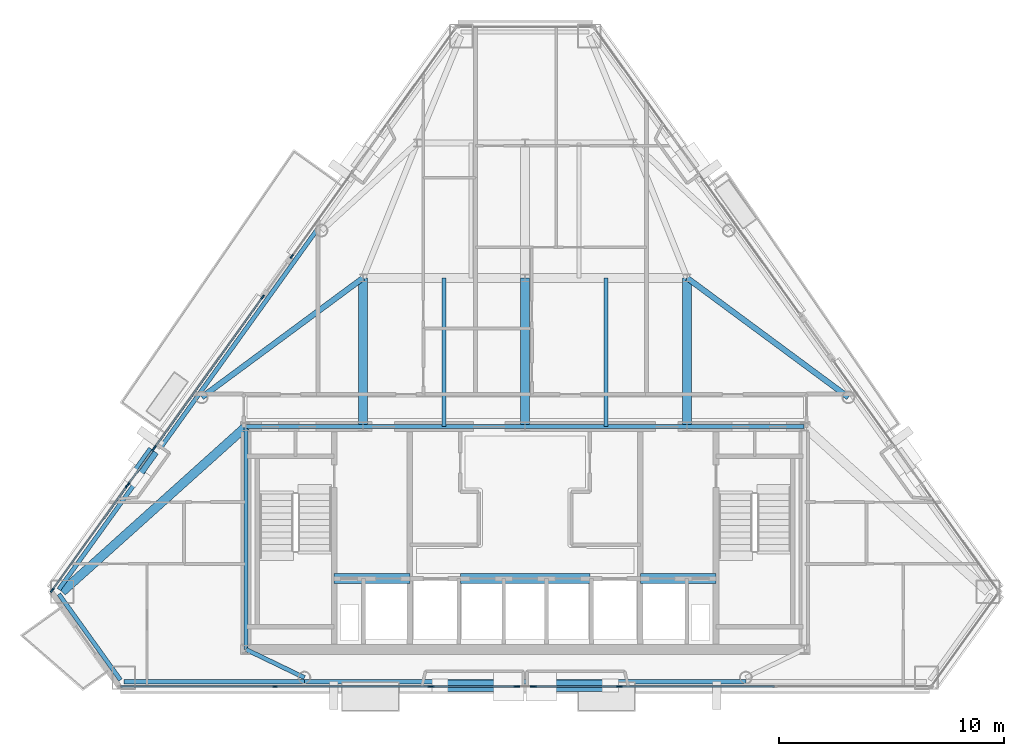
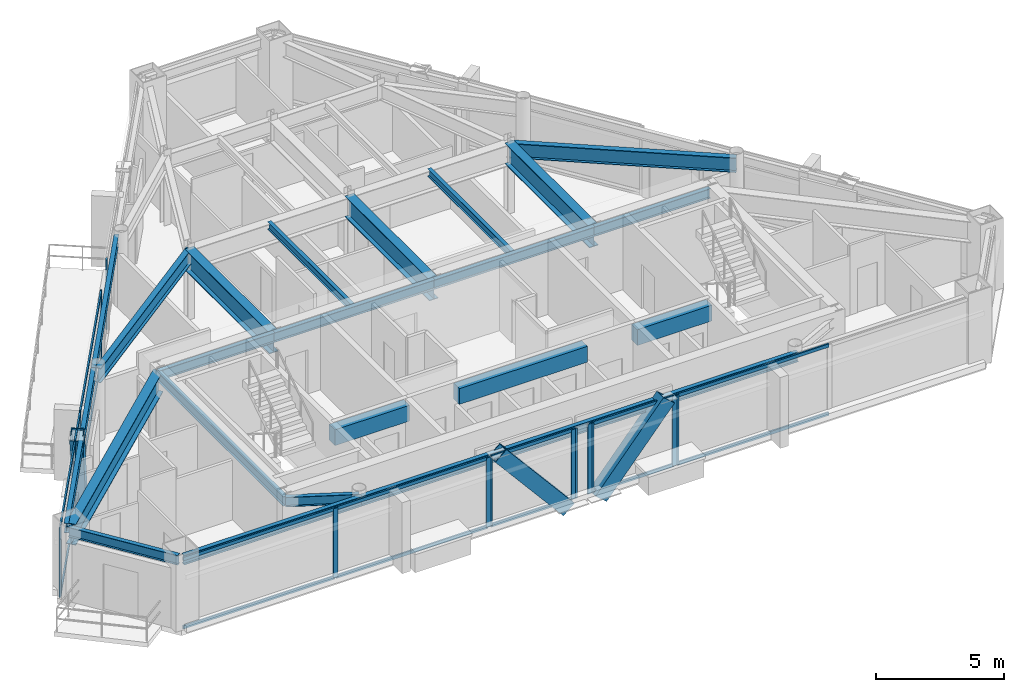
# One storey, part 3 of 12: 35 members, 22 beams, 9 elements without a shape of their own.
"""IFC4 building model written with IfcOpenShell, lengths in metres."""

from ifc_helpers import new_model, si_unit, direction, frame, origin, origin_2d, place, context, subcontext, project, spatial, rectangle, hollow_rectangle, i_section, extrude, material, layer, layer_set, material_profile, profile_set, type_object, element, aggregate, save


model = new_model("IFC4")

# Units and contexts
model_context = context("Model", 3, precision=1e-05, world=origin(), true_north=direction((0.0, 1.0)))
body_context = subcontext(model_context, "Body", "Model", "MODEL_VIEW")
ifc_project = project(units=[si_unit("LENGTHUNIT", "METRE"), si_unit("AREAUNIT", "SQUARE_METRE"), si_unit("VOLUMEUNIT", "CUBIC_METRE"), si_unit("PLANEANGLEUNIT", "RADIAN"), si_unit("MASSUNIT", "GRAM", prefix="KILO")], contexts=[model_context])

# Site, building, storey
site_placement = place(None, origin())
site = spatial("IfcSite", under=ifc_project, at=site_placement, CompositionType="ELEMENT")
building_placement = place(site_placement, origin())
building = spatial("IfcBuilding", under=site, at=building_placement, Name="Talgorran Terracotta Tower", CompositionType="ELEMENT")
storey_placement = place(building_placement, frame((0.0, 0.0, 225.300048828125)))
storey = spatial("IfcBuildingStorey", under=building, at=storey_placement, Name="L59", CompositionType="ELEMENT", Elevation=225.300048828125)

# Beams
ifc_material_1 = material(Name="Steel Grade 350 (350L0)", Category="steel")
ifc_material_profile_1 = material_profile(ifc_material_1, i_section(OverallWidth=0.39990234375, OverallDepth=1.0, WebThickness=0.01611328125, FlangeThickness=0.031005859375, at=origin_2d()), Name="1000WB296")
ifc_profile_set_1 = profile_set([ifc_material_profile_1], Name="Steel Grade 350 (350L0)")
beam_type_1 = type_object("IfcBeamType", Name="BM_1000WB296", PredefinedType="BEAM", material=ifc_profile_set_1)
for number, where, z_axis, x_axis, name in (
    (1, (-7.199951171875, -4.199951171875, 2.820068359375), (0.0, 1.0, 0.0), (-1.0, 0.0, 0.0), "L59 Floor Girder G01"),
    (2, (0.0, -4.199951171875, 2.820068359375), (0.0, 1.0, 0.0), (-1.0, 0.0, 0.0), "L59 Floor Girder G02"),
    (3, (7.199951171875, -4.199951171875, 2.820068359375), (0.0, 1.0, 0.0), (-1.0, 0.0, 0.0), "L59 Floor Girder G03"),
):
    element("IfcBeam", number, at=place(storey_placement, frame(where, z_axis=z_axis, x_axis=x_axis)), inside=storey, type_object=beam_type_1, Name=name, PredefinedType="BEAM", context=body_context, shape_type="SweptSolid", body=[
        extrude(i_section(OverallWidth=0.39990234375, OverallDepth=1.0, WebThickness=0.01611328125, FlangeThickness=0.031005859375, at=origin_2d()), origin(), (0.0, 0.0, 1.0), 6.599853515625),
    ])
beam_1_placement = place(storey_placement, frame((-12.39990234375, -4.199951171875, 2.820068359375), z_axis=(-0.743768255752, -0.668437567567, 0.0), x_axis=(0.668437567567, -0.743768255752, 0.0)))
element("IfcBeam", 4, at=beam_1_placement, inside=storey, type_object=beam_type_1, Name="L59 Floor Girder G17", PredefinedType="BEAM", context=body_context, shape_type="SweptSolid", body=[
    extrude(i_section(OverallWidth=0.39990234375, OverallDepth=1.0, WebThickness=0.01611328125, FlangeThickness=0.031005859375, at=origin_2d()), origin(), (0.0, 0.0, 1.0), 10.980224609375),
])
ifc_material_2 = material(Name="Steel S355 (300PLUS)", Category="steel")
ifc_material_profile_2 = material_profile(ifc_material_2, i_section(OverallWidth=0.25, OverallDepth=0.699951171875, WebThickness=0.011962890625, FlangeThickness=0.02392578125, at=origin_2d()), Name="700WB150")
ifc_profile_set_2 = profile_set([ifc_material_profile_2], Name="Steel S355 (300PLUS)")
beam_type_2 = type_object("IfcBeamType", Name="BM_700WB150", PredefinedType="BEAM", material=ifc_profile_set_2)
for number, where, z_axis, x_axis, name in (
    (5, (-7.199951171875, 2.39990234375, 2.969970703125), (-0.804042856359, -0.594571345708, 0.0), (0.594571345708, -0.804042856359, 0.0), "L59 Floor Girder G06"),
    (6, (7.199951171875, 2.39990234375, 2.969970703125), (0.804042856359, -0.594571345708, 0.0), (0.594571345708, 0.804042856359, 0.0), "L59 Floor Girder G07"),
):
    element("IfcBeam", number, at=place(storey_placement, frame(where, z_axis=z_axis, x_axis=x_axis)), inside=storey, type_object=beam_type_2, Name=name, PredefinedType="BEAM", context=body_context, shape_type="SweptSolid", body=[
        extrude(i_section(OverallWidth=0.25, OverallDepth=0.699951171875, WebThickness=0.011962890625, FlangeThickness=0.02392578125, at=origin_2d()), origin(), (0.0, 0.0, 1.0), 8.9091796875),
    ])
ifc_material_3 = material(Name="Concrete C50/60", Category="concrete")
ifc_material_profile_3 = material_profile(ifc_material_3, rectangle(XDim=0.449951171875, YDim=0.75, at=origin_2d()), Name="RCCB450X750")
ifc_profile_set_3 = profile_set([ifc_material_profile_3], Name="Concrete C50/60")
beam_type_3 = type_object("IfcBeamType", Name="BM_CB_450X750", PredefinedType="LINTEL", material=ifc_profile_set_3)
beam_2_placement = place(storey_placement, frame((-8.47998046875, -10.949951171875, 2.945068359375), z_axis=(1.0, 0.0, 0.0), x_axis=(0.0, 1.0, 0.0)))
element("IfcBeam", 7, at=beam_2_placement, inside=storey, type_object=beam_type_3, Name="L59 Core Shear-Wall Coupling Beam CB1", PredefinedType="LINTEL", context=body_context, shape_type="SweptSolid", body=[
    extrude(rectangle(XDim=0.449951171875, YDim=0.75, at=origin_2d()), origin(), (0.0, 0.0, 1.0), 3.35986328125),
])
beam_3_placement = place(storey_placement, frame((-2.8798828125, -10.949951171875, 2.945068359375), z_axis=(1.0, 0.0, 0.0), x_axis=(0.0, 1.0, 0.0)))
element("IfcBeam", 8, at=beam_3_placement, inside=storey, type_object=beam_type_3, Name="L59 Core Shear-Wall Coupling Beam CB2", PredefinedType="LINTEL", context=body_context, shape_type="SweptSolid", body=[
    extrude(rectangle(XDim=0.449951171875, YDim=0.75, at=origin_2d()), origin(), (0.0, 0.0, 1.0), 5.759765625),
])
beam_4_placement = place(storey_placement, frame((5.1201171875, -10.949951171875, 2.945068359375), z_axis=(1.0, 0.0, 0.0), x_axis=(0.0, 1.0, 0.0)))
element("IfcBeam", 9, at=beam_4_placement, inside=storey, type_object=beam_type_3, Name="L59 Core Shear-Wall Coupling Beam CB3", PredefinedType="LINTEL", context=body_context, shape_type="SweptSolid", body=[
    extrude(rectangle(XDim=0.449951171875, YDim=0.75, at=origin_2d()), origin(), (0.0, 0.0, 1.0), 3.35986328125),
])
ifc_material_profile_4 = material_profile(ifc_material_2, i_section(OverallWidth=0.17138671875, OverallDepth=0.355712890625, WebThickness=0.00732421875, FlangeThickness=0.011474609375, at=origin_2d()), Name="360UB50.7")
ifc_profile_set_4 = profile_set([ifc_material_profile_4], Name="Steel S355 (300PLUS)")
beam_type_4 = type_object("IfcBeamType", Name="BM_JS_360UB51", PredefinedType="JOIST", material=ifc_profile_set_4)
for number, where, z_axis, x_axis, name in (
    (10, (-3.60009765625, -4.199951171875, 3.14208984375), (0.0, 1.0, 0.0), (-1.0, 0.0, 0.0), "L59 Secondary Joist J01"),
    (11, (3.60009765625, -4.199951171875, 3.14208984375), (0.0, 1.0, 0.0), (-1.0, 0.0, 0.0), "L59 Secondary Joist J02"),
):
    element("IfcBeam", number, at=place(storey_placement, frame(where, z_axis=z_axis, x_axis=x_axis)), inside=storey, type_object=beam_type_4, Name=name, PredefinedType="JOIST", context=body_context, shape_type="SweptSolid", body=[
        extrude(i_section(OverallWidth=0.17138671875, OverallDepth=0.355712890625, WebThickness=0.00732421875, FlangeThickness=0.011474609375, at=origin_2d()), origin(), (0.0, 0.0, 1.0), 6.599853515625),
    ])
ifc_material_profile_5 = material_profile(ifc_material_2, i_section(OverallWidth=0.18994140625, OverallDepth=0.45703125, WebThickness=0.009033203125, FlangeThickness=0.014404296875, at=origin_2d()), Name="460UB74.6")
ifc_profile_set_5 = profile_set([ifc_material_profile_5], Name="Steel S355 (300PLUS)")
beam_type_5 = type_object("IfcBeamType", Name="BM_SP_460UB74", PredefinedType="SPANDREL", material=ifc_profile_set_5)
beam_5_placement = place(storey_placement, frame((-20.712890625, -11.64453125, 3.091552734375), z_axis=(0.583096756271, -0.812402715915, 0.0), x_axis=(0.812402715915, 0.583096756271, 0.0)))
element("IfcBeam", 12, at=beam_5_placement, inside=storey, type_object=beam_type_5, Name="L59 Perimeter Spandrel Beam MC1-MC2", PredefinedType="SPANDREL", context=body_context, shape_type="SweptSolid", body=[
    extrude(i_section(OverallWidth=0.18994140625, OverallDepth=0.45703125, WebThickness=0.009033203125, FlangeThickness=0.014404296875, at=origin_2d()), origin(), (0.0, 0.0, 1.0), 4.693115234375),
])
beam_6_placement = place(storey_placement, frame((-17.830078125, -15.5322265625, 3.091552734375), z_axis=(1.0, 0.0, 0.0), x_axis=(0.0, 1.0, 0.0)))
element("IfcBeam", 13, at=beam_6_placement, inside=storey, type_object=beam_type_5, Name="L59 Perimeter Spandrel Beam MC2-FC1", PredefinedType="SPANDREL", context=body_context, shape_type="SweptSolid", body=[
    extrude(i_section(OverallWidth=0.18994140625, OverallDepth=0.45703125, WebThickness=0.009033203125, FlangeThickness=0.014404296875, at=origin_2d()), origin(), (0.0, 0.0, 1.0), 8.0234375),
])
beam_7_placement = place(storey_placement, frame((-9.806640625, -15.5322265625, 3.091552734375), z_axis=(1.0, 0.0, 0.0), x_axis=(0.0, 1.0, 0.0)))
element("IfcBeam", 14, at=beam_7_placement, inside=storey, type_object=beam_type_5, Name="L59 Perimeter Spandrel Beam FC1-FC2", PredefinedType="SPANDREL", context=body_context, shape_type="SweptSolid", body=[
    extrude(i_section(OverallWidth=0.18994140625, OverallDepth=0.45703125, WebThickness=0.009033203125, FlangeThickness=0.014404296875, at=origin_2d()), origin(), (0.0, 0.0, 1.0), 19.61328125),
])
beam_8_placement = place(storey_placement, frame((-9.192626953125, 4.615478515625, 3.091552734375), z_axis=(-0.583100770976, -0.812399834372, 0.0), x_axis=(0.812399834372, -0.583100770976, 0.0)))
element("IfcBeam", 15, at=beam_8_placement, inside=storey, type_object=beam_type_5, Name="L59 Perimeter Spandrel Beam FC5-FC6", PredefinedType="SPANDREL", context=body_context, shape_type="SweptSolid", body=[
    extrude(i_section(OverallWidth=0.18994140625, OverallDepth=0.45703125, WebThickness=0.009033203125, FlangeThickness=0.014404296875, at=origin_2d()), origin(), (0.0, 0.0, 1.0), 9.118408203125),
])
beam_9_placement = place(storey_placement, frame((-14.509521484375, -2.792236328125, 3.091552734375), z_axis=(-0.583120966057, -0.812385338953, 0.0), x_axis=(0.812385338953, -0.583120966057, 0.0)))
element("IfcBeam", 16, at=beam_9_placement, inside=storey, type_object=beam_type_5, Name="L59 Perimeter Spandrel Beam FC6-MC1", PredefinedType="SPANDREL", context=body_context, shape_type="SweptSolid", body=[
    extrude(i_section(OverallWidth=0.18994140625, OverallDepth=0.45703125, WebThickness=0.009033203125, FlangeThickness=0.014404296875, at=origin_2d()), origin(), (0.0, 0.0, 1.0), 10.63818359375),
])
beam_10_placement = place(storey_placement, frame((-9.806640625, -15.352294921875, 3.091552734375), z_axis=(-0.900513862936, 0.434827302109, 0.0), x_axis=(-0.434827302109, -0.900513862936, 0.0)))
element("IfcBeam", 17, at=beam_10_placement, inside=storey, type_object=beam_type_5, Name="L59 South-West Core Tie Beam", PredefinedType="SPANDREL", context=body_context, shape_type="SweptSolid", body=[
    extrude(i_section(OverallWidth=0.18994140625, OverallDepth=0.45703125, WebThickness=0.009033203125, FlangeThickness=0.014404296875, at=origin_2d()), origin(), (0.0, 0.0, 1.0), 2.879638671875),
])
beam_11_placement = place(storey_placement, frame((-12.39990234375, -14.10009765625, 3.091552734375), z_axis=(0.0, 1.0, 0.0), x_axis=(-1.0, 0.0, 0.0)))
element("IfcBeam", 18, at=beam_11_placement, inside=storey, type_object=beam_type_5, Name="L59 Core Frame Beam CFW", PredefinedType="SPANDREL", context=body_context, shape_type="SweptSolid", body=[
    extrude(i_section(OverallWidth=0.18994140625, OverallDepth=0.45703125, WebThickness=0.009033203125, FlangeThickness=0.014404296875, at=origin_2d()), origin(), (0.0, 0.0, 1.0), 9.900146484375),
])
beam_12_placement = place(storey_placement, frame((-12.39990234375, -4.199951171875, 3.091552734375), z_axis=(1.0, 0.0, 0.0), x_axis=(0.0, 1.0, 0.0)))
element("IfcBeam", 19, at=beam_12_placement, inside=storey, type_object=beam_type_5, Name="L59 Core Frame Beam CFN1", PredefinedType="SPANDREL", context=body_context, shape_type="SweptSolid", body=[
    extrude(i_section(OverallWidth=0.18994140625, OverallDepth=0.45703125, WebThickness=0.009033203125, FlangeThickness=0.014404296875, at=origin_2d()), origin(), (0.0, 0.0, 1.0), 5.199951171875),
])
for number, where, z_axis, x_axis, name in (
    (20, (-7.199951171875, -4.199951171875, 3.091552734375), (1.0, 0.0, 0.0), (0.0, 1.0, 0.0), "L59 Core Frame Beam CFN2"),
    (21, (0.0, -4.199951171875, 3.091552734375), (1.0, 0.0, 0.0), (0.0, 1.0, 0.0), "L59 Core Frame Beam CFN3"),
):
    element("IfcBeam", number, at=place(storey_placement, frame(where, z_axis=z_axis, x_axis=x_axis)), inside=storey, type_object=beam_type_5, Name=name, PredefinedType="SPANDREL", context=body_context, shape_type="SweptSolid", body=[
        extrude(i_section(OverallWidth=0.18994140625, OverallDepth=0.45703125, WebThickness=0.009033203125, FlangeThickness=0.014404296875, at=origin_2d()), origin(), (0.0, 0.0, 1.0), 7.199951171875),
    ])
beam_13_placement = place(storey_placement, frame((7.199951171875, -4.199951171875, 3.091552734375), z_axis=(1.0, 0.0, 0.0), x_axis=(0.0, 1.0, 0.0)))
element("IfcBeam", 22, at=beam_13_placement, inside=storey, type_object=beam_type_5, Name="L59 Core Frame Beam CFN4", PredefinedType="SPANDREL", context=body_context, shape_type="SweptSolid", body=[
    extrude(i_section(OverallWidth=0.18994140625, OverallDepth=0.45703125, WebThickness=0.009033203125, FlangeThickness=0.014404296875, at=origin_2d()), origin(), (0.0, 0.0, 1.0), 5.199951171875),
])

# Members
ifc_material_profile_6 = material_profile(ifc_material_1, hollow_rectangle(XDim=0.52001953125, YDim=0.659912109375, WallThickness=0.034912109375, at=origin_2d()), Name="WBOX660X520X35")
ifc_profile_set_6 = profile_set([ifc_material_profile_6], Name="Steel Grade 350 (350L0)")
member_type_1 = type_object("IfcMemberType", Name="MB_MEGA_660", PredefinedType="BRACE", material=ifc_profile_set_6)
for number, where, z_axis, x_axis, name in (
    (23, (-0.720703125, -15.712158203125, -0.275146484375), (-0.645859147474, 0.0, 0.76345658791), (0.0, -1.0, 0.0), "L59 Exterior Face Mega-Brace MB-3 (SWF)"),
    (24, (0.720703125, -15.712158203125, -0.275146484375), (0.645859147474, 0.0, 0.76345658791), (0.0, 1.0, 0.0), "L59 Exterior Face Mega-Brace MB-3 (SEF)"),
):
    element("IfcMember", number, at=place(storey_placement, frame(where, z_axis=z_axis, x_axis=x_axis)), inside=storey, type_object=member_type_1, Name=name, PredefinedType="BRACE", context=body_context, shape_type="SweptSolid", body=[
        extrude(hollow_rectangle(XDim=0.52001953125, YDim=0.659912109375, WallThickness=0.034912109375, at=origin_2d()), origin(), (0.0, 0.0, 1.0), 4.74169921875),
    ])
member_1_placement = place(storey_placement, frame((-16.694091796875, -5.527099609375, -0.275146484375), z_axis=(-0.175338906747, -0.244162322088, 0.953751030538), x_axis=(0.812256146727, -0.583300910426, 0.0)))
element("IfcMember", 25, at=member_1_placement, inside=storey, type_object=member_type_1, Name="L59 Exterior Face Mega-Brace MB-3 (NWL)", PredefinedType="BRACE", context=body_context, shape_type="SweptSolid", body=[
    extrude(hollow_rectangle(XDim=0.52001953125, YDim=0.659912109375, WallThickness=0.034912109375, at=origin_2d()), origin(), (0.0, 0.0, 1.0), 3.795654296875),
])

# Curtain wall, members
ifc_material_4 = material(Name="High-Wind Unitised Glazing", Category="glass")
ifc_layer = layer(ifc_material_4, 0.2099609375, Name="CW_SYS3_RES_HIGH")
ifc_layer_set = layer_set([ifc_layer], Name="High-Wind Unitised Glazing")
curtain_wall_type = type_object("IfcCurtainWallType", Name="CW_SYS3_RES_HIGH", PredefinedType="NOTDEFINED", material=ifc_layer_set)
curtain_wall_1_placement = place(storey_placement, origin())
curtain_wall_1 = element("IfcCurtainWall", 26, at=curtain_wall_1_placement, inside=storey, type_object=curtain_wall_type, Name="CW-L59-F1", PredefinedType="NOTDEFINED")
ifc_material_5 = material(Name="Architectural Aluminium 6063-T6", Category="aluminium")
ifc_material_profile_7 = material_profile(ifc_material_5, rectangle(XDim=0.070068359375, YDim=0.199951171875, at=origin_2d()), Name="CWM70X200")
ifc_profile_set_7 = profile_set([ifc_material_profile_7], Name="Architectural Aluminium 6063-T6")
member_type_2 = type_object("IfcMemberType", Name="MUL_70X200", PredefinedType="MULLION", material=ifc_profile_set_7)
member_2_placement = place(storey_placement, frame((-11.11279296875, -15.752197265625, 0.0), z_axis=(0.0, 0.0, 1.0), x_axis=(0.0, 1.0, 0.0)))
member_2 = element("IfcMember", 27, at=member_2_placement, type_object=member_type_2, Name="CW-L59-1 mullion 2", PredefinedType="MULLION", context=body_context, shape_type="SweptSolid", body=[
    extrude(rectangle(XDim=0.070068359375, YDim=0.199951171875, at=origin_2d()), origin(), (0.0, 0.0, 1.0), 3.320068359375),
])
member_3_placement = place(storey_placement, frame((-4.22509765625, -15.752197265625, 0.0), z_axis=(0.0, 0.0, 1.0), x_axis=(0.0, 1.0, 0.0)))
member_3 = element("IfcMember", 28, at=member_3_placement, type_object=member_type_2, Name="CW-L59-1 mullion 3", PredefinedType="MULLION", context=body_context, shape_type="SweptSolid", body=[
    extrude(rectangle(XDim=0.070068359375, YDim=0.199951171875, at=origin_2d()), origin(), (0.0, 0.0, 1.0), 3.320068359375),
])

curtain_wall_2_placement = place(storey_placement, origin())
curtain_wall_2 = element("IfcCurtainWall", 29, at=curtain_wall_2_placement, inside=storey, type_object=curtain_wall_type, Name="CW-L59-F1B", PredefinedType="NOTDEFINED")
member_4_placement = place(storey_placement, frame((-4.14501953125, -15.752197265625, 0.0), z_axis=(0.0, 0.0, 1.0), x_axis=(0.0, 1.0, 0.0)))
member_4 = element("IfcMember", 30, at=member_4_placement, type_object=member_type_2, Name="CW-L59-1B mullion 1", PredefinedType="MULLION", context=body_context, shape_type="SweptSolid", body=[
    extrude(rectangle(XDim=0.070068359375, YDim=0.199951171875, at=origin_2d()), origin(), (0.0, 0.0, 1.0), 3.320068359375),
])
member_5_placement = place(storey_placement, frame((-0.410888671875, -15.752197265625, 0.0), z_axis=(0.0, 0.0, 1.0), x_axis=(0.0, 1.0, 0.0)))
member_5 = element("IfcMember", 31, at=member_5_placement, type_object=member_type_2, Name="CW-L59-1B mullion 2", PredefinedType="MULLION", context=body_context, shape_type="SweptSolid", body=[
    extrude(rectangle(XDim=0.070068359375, YDim=0.199951171875, at=origin_2d()), origin(), (0.0, 0.0, 1.0), 3.320068359375),
])

curtain_wall_3_placement = place(storey_placement, origin())
curtain_wall_3 = element("IfcCurtainWall", 32, at=curtain_wall_3_placement, inside=storey, type_object=curtain_wall_type, Name="CW-L59-F1C", PredefinedType="NOTDEFINED")
member_6_placement = place(storey_placement, frame((-0.3310546875, -15.752197265625, 0.0), z_axis=(0.0, 0.0, 1.0), x_axis=(0.0, 1.0, 0.0)))
member_6 = element("IfcMember", 33, at=member_6_placement, type_object=member_type_2, Name="CW-L59-1C mullion 1", PredefinedType="MULLION", context=body_context, shape_type="SweptSolid", body=[
    extrude(rectangle(XDim=0.070068359375, YDim=0.199951171875, at=origin_2d()), origin(), (0.0, 0.0, 1.0), 3.320068359375),
])
member_7_placement = place(storey_placement, frame((0.3310546875, -15.752197265625, 0.0), z_axis=(0.0, 0.0, 1.0), x_axis=(0.0, 1.0, 0.0)))
member_7 = element("IfcMember", 34, at=member_7_placement, type_object=member_type_2, Name="CW-L59-1C mullion 2", PredefinedType="MULLION", context=body_context, shape_type="SweptSolid", body=[
    extrude(rectangle(XDim=0.070068359375, YDim=0.199951171875, at=origin_2d()), origin(), (0.0, 0.0, 1.0), 3.320068359375),
])
aggregate(curtain_wall_3, [member_6, member_7])

curtain_wall_4_placement = place(storey_placement, origin())
curtain_wall_4 = element("IfcCurtainWall", 35, at=curtain_wall_4_placement, inside=storey, type_object=curtain_wall_type, Name="CW-L59-F1D", PredefinedType="NOTDEFINED")
member_8_placement = place(storey_placement, frame((0.410888671875, -15.752197265625, 0.0), z_axis=(0.0, 0.0, 1.0), x_axis=(0.0, 1.0, 0.0)))
member_8 = element("IfcMember", 36, at=member_8_placement, type_object=member_type_2, Name="CW-L59-1D mullion 1", PredefinedType="MULLION", context=body_context, shape_type="SweptSolid", body=[
    extrude(rectangle(XDim=0.070068359375, YDim=0.199951171875, at=origin_2d()), origin(), (0.0, 0.0, 1.0), 3.320068359375),
])
member_9_placement = place(storey_placement, frame((4.14501953125, -15.752197265625, 0.0), z_axis=(0.0, 0.0, 1.0), x_axis=(0.0, 1.0, 0.0)))
member_9 = element("IfcMember", 37, at=member_9_placement, type_object=member_type_2, Name="CW-L59-1D mullion 2", PredefinedType="MULLION", context=body_context, shape_type="SweptSolid", body=[
    extrude(rectangle(XDim=0.070068359375, YDim=0.199951171875, at=origin_2d()), origin(), (0.0, 0.0, 1.0), 3.320068359375),
])

# Curtain wall, member
curtain_wall_5_placement = place(storey_placement, origin())
curtain_wall_5 = element("IfcCurtainWall", 38, at=curtain_wall_5_placement, inside=storey, type_object=curtain_wall_type, Name="CW-L59-F1E", PredefinedType="NOTDEFINED")
member_10_placement = place(storey_placement, frame((4.22509765625, -15.752197265625, 0.0), z_axis=(0.0, 0.0, 1.0), x_axis=(0.0, 1.0, 0.0)))
member_10 = element("IfcMember", 39, at=member_10_placement, type_object=member_type_2, Name="CW-L59-1E mullion 1", PredefinedType="MULLION", context=body_context, shape_type="SweptSolid", body=[
    extrude(rectangle(XDim=0.070068359375, YDim=0.199951171875, at=origin_2d()), origin(), (0.0, 0.0, 1.0), 3.320068359375),
])

curtain_wall_6_placement = place(storey_placement, origin())
curtain_wall_6 = element("IfcCurtainWall", 40, at=curtain_wall_6_placement, inside=storey, type_object=curtain_wall_type, Name="CW-L59-F60C", PredefinedType="NOTDEFINED")
member_11_placement = place(storey_placement, frame((-10.36328125, 3.361572265625, 0.0), z_axis=(0.0, 0.0, 1.0), x_axis=(0.812393890019, -0.583109052802, 0.0)))
member_11 = element("IfcMember", 41, at=member_11_placement, type_object=member_type_2, Name="CW-L59-60C mullion 2", PredefinedType="MULLION", context=body_context, shape_type="SweptSolid", body=[
    extrude(rectangle(XDim=0.070068359375, YDim=0.199951171875, at=origin_2d()), origin(), (0.0, 0.0, 1.0), 3.320068359375),
])
aggregate(curtain_wall_6, [member_11])

# Curtain wall, members
curtain_wall_7_placement = place(storey_placement, origin())
curtain_wall_7 = element("IfcCurtainWall", 42, at=curtain_wall_7_placement, inside=storey, type_object=curtain_wall_type, Name="CW-L59-F61", PredefinedType="NOTDEFINED")
member_12_placement = place(storey_placement, frame((-11.663818359375, 1.550048828125, 0.0), z_axis=(0.0, 0.0, 1.0), x_axis=(0.812387806916, -0.583117527754, 0.0)))
member_12 = element("IfcMember", 43, at=member_12_placement, type_object=member_type_2, Name="CW-L59-61 mullion 1", PredefinedType="MULLION", context=body_context, shape_type="SweptSolid", body=[
    extrude(rectangle(XDim=0.070068359375, YDim=0.199951171875, at=origin_2d()), origin(), (0.0, 0.0, 1.0), 3.320068359375),
])
member_13_placement = place(storey_placement, frame((-16.464599609375, -5.138671875, 0.0), z_axis=(0.0, 0.0, 1.0), x_axis=(0.812387806916, -0.583117527754, 0.0)))
member_13 = element("IfcMember", 44, at=member_13_placement, type_object=member_type_2, Name="CW-L59-61 mullion 2", PredefinedType="MULLION", context=body_context, shape_type="SweptSolid", body=[
    extrude(rectangle(XDim=0.070068359375, YDim=0.199951171875, at=origin_2d()), origin(), (0.0, 0.0, 1.0), 3.320068359375),
])

curtain_wall_8_placement = place(storey_placement, origin())
curtain_wall_8 = element("IfcCurtainWall", 45, at=curtain_wall_8_placement, inside=storey, type_object=curtain_wall_type, Name="CW-L59-F61B", PredefinedType="NOTDEFINED")
member_14_placement = place(storey_placement, frame((-16.51123046875, -5.20361328125, 0.0), z_axis=(0.0, 0.0, 1.0), x_axis=(0.812386735853, -0.583119019935, 0.0)))
member_14 = element("IfcMember", 46, at=member_14_placement, type_object=member_type_2, Name="CW-L59-61B mullion 1", PredefinedType="MULLION", context=body_context, shape_type="SweptSolid", body=[
    extrude(rectangle(XDim=0.070068359375, YDim=0.199951171875, at=origin_2d()), origin(), (0.0, 0.0, 1.0), 3.320068359375),
])
member_15_placement = place(storey_placement, frame((-17.6396484375, -6.775634765625, 0.0), z_axis=(0.0, 0.0, 1.0), x_axis=(0.812386735853, -0.583119019935, 0.0)))
member_15 = element("IfcMember", 47, at=member_15_placement, type_object=member_type_2, Name="CW-L59-61B mullion 2", PredefinedType="MULLION", context=body_context, shape_type="SweptSolid", body=[
    extrude(rectangle(XDim=0.070068359375, YDim=0.199951171875, at=origin_2d()), origin(), (0.0, 0.0, 1.0), 3.320068359375),
])

curtain_wall_9_placement = place(storey_placement, origin())
curtain_wall_9 = element("IfcCurtainWall", 48, at=curtain_wall_9_placement, inside=storey, type_object=curtain_wall_type, Name="CW-L59-F61C", PredefinedType="NOTDEFINED")
member_16_placement = place(storey_placement, frame((-17.686279296875, -6.840576171875, 0.0), z_axis=(0.0, 0.0, 1.0), x_axis=(0.812389099505, -0.583115726941, 0.0)))
member_16 = element("IfcMember", 49, at=member_16_placement, type_object=member_type_2, Name="CW-L59-61C mullion 1", PredefinedType="MULLION", context=body_context, shape_type="SweptSolid", body=[
    extrude(rectangle(XDim=0.070068359375, YDim=0.199951171875, at=origin_2d()), origin(), (0.0, 0.0, 1.0), 3.320068359375),
])
member_17_placement = place(storey_placement, frame((-21.015380859375, -11.478759765625, 0.0), z_axis=(0.0, 0.0, 1.0), x_axis=(0.812389099505, -0.583115726941, 0.0)))
member_17 = element("IfcMember", 50, at=member_17_placement, type_object=member_type_2, Name="CW-L59-61C mullion 2", PredefinedType="MULLION", context=body_context, shape_type="SweptSolid", body=[
    extrude(rectangle(XDim=0.070068359375, YDim=0.199951171875, at=origin_2d()), origin(), (0.0, 0.0, 1.0), 3.320068359375),
])

# Member
ifc_material_profile_8 = material_profile(ifc_material_5, rectangle(XDim=0.070068359375, YDim=0.159912109375, at=origin_2d()), Name="CWT70X160")
ifc_profile_set_8 = profile_set([ifc_material_profile_8], Name="Architectural Aluminium 6063-T6")
member_type_3 = type_object("IfcMemberType", Name="TRN_70X160", PredefinedType="USERDEFINED", material=ifc_profile_set_8)
member_18_placement = place(storey_placement, frame((-17.96533203125, -15.752197265625, 0.034912109375), z_axis=(1.0, 0.0, 0.0), x_axis=(0.0, 1.0, 0.0)))
member_18 = element("IfcMember", 51, at=member_18_placement, type_object=member_type_3, Name="CW-L59-1 transom 1.1", ObjectType="TRANSOM", PredefinedType="USERDEFINED", context=body_context, shape_type="SweptSolid", body=[
    extrude(rectangle(XDim=0.070068359375, YDim=0.159912109375, at=origin_2d()), origin(), (0.0, 0.0, 1.0), 6.817626953125),
])

member_19_placement = place(storey_placement, frame((-17.96533203125, -15.752197265625, 3.284912109375), z_axis=(1.0, 0.0, 0.0), x_axis=(0.0, 1.0, 0.0)))
member_19 = element("IfcMember", 52, at=member_19_placement, type_object=member_type_3, Name="CW-L59-1 transom 1.2", ObjectType="TRANSOM", PredefinedType="USERDEFINED", context=body_context, shape_type="SweptSolid", body=[
    extrude(rectangle(XDim=0.070068359375, YDim=0.159912109375, at=origin_2d()), origin(), (0.0, 0.0, 1.0), 6.817626953125),
])

member_20_placement = place(storey_placement, frame((-11.07763671875, -15.752197265625, 0.034912109375), z_axis=(1.0, 0.0, 0.0), x_axis=(0.0, 1.0, 0.0)))
member_20 = element("IfcMember", 53, at=member_20_placement, type_object=member_type_3, Name="CW-L59-1 transom 2.1", ObjectType="TRANSOM", PredefinedType="USERDEFINED", context=body_context, shape_type="SweptSolid", body=[
    extrude(rectangle(XDim=0.070068359375, YDim=0.159912109375, at=origin_2d()), origin(), (0.0, 0.0, 1.0), 6.817626953125),
])

member_21_placement = place(storey_placement, frame((-11.07763671875, -15.752197265625, 3.284912109375), z_axis=(1.0, 0.0, 0.0), x_axis=(0.0, 1.0, 0.0)))
member_21 = element("IfcMember", 54, at=member_21_placement, type_object=member_type_3, Name="CW-L59-1 transom 2.2", ObjectType="TRANSOM", PredefinedType="USERDEFINED", context=body_context, shape_type="SweptSolid", body=[
    extrude(rectangle(XDim=0.070068359375, YDim=0.159912109375, at=origin_2d()), origin(), (0.0, 0.0, 1.0), 6.817626953125),
])

aggregate(curtain_wall_1, [member_2, member_3, member_18, member_19, member_20, member_21])

member_22_placement = place(storey_placement, frame((-4.110107421875, -15.752197265625, 0.034912109375), z_axis=(1.0, 0.0, 0.0), x_axis=(0.0, 1.0, 0.0)))
member_22 = element("IfcMember", 55, at=member_22_placement, type_object=member_type_3, Name="CW-L59-1B transom 1.1", ObjectType="TRANSOM", PredefinedType="USERDEFINED", context=body_context, shape_type="SweptSolid", body=[
    extrude(rectangle(XDim=0.070068359375, YDim=0.159912109375, at=origin_2d()), origin(), (0.0, 0.0, 1.0), 3.6640625),
])

member_23_placement = place(storey_placement, frame((-4.110107421875, -15.752197265625, 3.284912109375), z_axis=(1.0, 0.0, 0.0), x_axis=(0.0, 1.0, 0.0)))
member_23 = element("IfcMember", 56, at=member_23_placement, type_object=member_type_3, Name="CW-L59-1B transom 1.2", ObjectType="TRANSOM", PredefinedType="USERDEFINED", context=body_context, shape_type="SweptSolid", body=[
    extrude(rectangle(XDim=0.070068359375, YDim=0.159912109375, at=origin_2d()), origin(), (0.0, 0.0, 1.0), 3.6640625),
])

aggregate(curtain_wall_2, [member_4, member_5, member_22, member_23])

member_24_placement = place(storey_placement, frame((0.446044921875, -15.752197265625, 0.034912109375), z_axis=(1.0, 0.0, 0.0), x_axis=(0.0, 1.0, 0.0)))
member_24 = element("IfcMember", 57, at=member_24_placement, type_object=member_type_3, Name="CW-L59-1D transom 1.1", ObjectType="TRANSOM", PredefinedType="USERDEFINED", context=body_context, shape_type="SweptSolid", body=[
    extrude(rectangle(XDim=0.070068359375, YDim=0.159912109375, at=origin_2d()), origin(), (0.0, 0.0, 1.0), 3.6640625),
])

member_25_placement = place(storey_placement, frame((0.446044921875, -15.752197265625, 3.284912109375), z_axis=(1.0, 0.0, 0.0), x_axis=(0.0, 1.0, 0.0)))
member_25 = element("IfcMember", 58, at=member_25_placement, type_object=member_type_3, Name="CW-L59-1D transom 1.2", ObjectType="TRANSOM", PredefinedType="USERDEFINED", context=body_context, shape_type="SweptSolid", body=[
    extrude(rectangle(XDim=0.070068359375, YDim=0.159912109375, at=origin_2d()), origin(), (0.0, 0.0, 1.0), 3.6640625),
])

aggregate(curtain_wall_4, [member_8, member_9, member_24, member_25])

member_26_placement = place(storey_placement, frame((4.260009765625, -15.752197265625, 0.034912109375), z_axis=(1.0, 0.0, 0.0), x_axis=(0.0, 1.0, 0.0)))
member_26 = element("IfcMember", 59, at=member_26_placement, type_object=member_type_3, Name="CW-L59-1E transom 1.1", ObjectType="TRANSOM", PredefinedType="USERDEFINED", context=body_context, shape_type="SweptSolid", body=[
    extrude(rectangle(XDim=0.070068359375, YDim=0.159912109375, at=origin_2d()), origin(), (0.0, 0.0, 1.0), 6.817626953125),
])

member_27_placement = place(storey_placement, frame((4.260009765625, -15.752197265625, 3.284912109375), z_axis=(1.0, 0.0, 0.0), x_axis=(0.0, 1.0, 0.0)))
member_27 = element("IfcMember", 60, at=member_27_placement, type_object=member_type_3, Name="CW-L59-1E transom 1.2", ObjectType="TRANSOM", PredefinedType="USERDEFINED", context=body_context, shape_type="SweptSolid", body=[
    extrude(rectangle(XDim=0.070068359375, YDim=0.159912109375, at=origin_2d()), origin(), (0.0, 0.0, 1.0), 6.817626953125),
])

aggregate(curtain_wall_5, [member_10, member_26, member_27])

member_28_placement = place(storey_placement, frame((-11.68408203125, 1.521484375, 0.034912109375), z_axis=(-0.583120757525, -0.812385488635, 0.0), x_axis=(0.812385488635, -0.583120757525, 0.0)))
member_28 = element("IfcMember", 61, at=member_28_placement, type_object=member_type_3, Name="CW-L59-61 transom 1.1", ObjectType="TRANSOM", PredefinedType="USERDEFINED", context=body_context, shape_type="SweptSolid", body=[
    extrude(rectangle(XDim=0.070068359375, YDim=0.159912109375, at=origin_2d()), origin(), (0.0, 0.0, 1.0), 8.163330078125),
])

member_29_placement = place(storey_placement, frame((-11.68408203125, 1.521484375, 3.284912109375), z_axis=(-0.583120757525, -0.812385488635, 0.0), x_axis=(0.812385488635, -0.583120757525, 0.0)))
member_29 = element("IfcMember", 62, at=member_29_placement, type_object=member_type_3, Name="CW-L59-61 transom 1.2", ObjectType="TRANSOM", PredefinedType="USERDEFINED", context=body_context, shape_type="SweptSolid", body=[
    extrude(rectangle(XDim=0.070068359375, YDim=0.159912109375, at=origin_2d()), origin(), (0.0, 0.0, 1.0), 8.163330078125),
])

aggregate(curtain_wall_7, [member_12, member_13, member_28, member_29])

member_30_placement = place(storey_placement, frame((-16.53173828125, -5.232177734375, 0.034912109375), z_axis=(-0.583155842004, -0.81236030426, 0.0), x_axis=(0.81236030426, -0.583155842004, 0.0)))
member_30 = element("IfcMember", 63, at=member_30_placement, type_object=member_type_3, Name="CW-L59-61B transom 1.1", ObjectType="TRANSOM", PredefinedType="USERDEFINED", context=body_context, shape_type="SweptSolid", body=[
    extrude(rectangle(XDim=0.070068359375, YDim=0.159912109375, at=origin_2d()), origin(), (0.0, 0.0, 1.0), 1.864990234375),
])

member_31_placement = place(storey_placement, frame((-16.53173828125, -5.232177734375, 3.284912109375), z_axis=(-0.583155842004, -0.81236030426, 0.0), x_axis=(0.81236030426, -0.583155842004, 0.0)))
member_31 = element("IfcMember", 64, at=member_31_placement, type_object=member_type_3, Name="CW-L59-61B transom 1.2", ObjectType="TRANSOM", PredefinedType="USERDEFINED", context=body_context, shape_type="SweptSolid", body=[
    extrude(rectangle(XDim=0.070068359375, YDim=0.159912109375, at=origin_2d()), origin(), (0.0, 0.0, 1.0), 1.864990234375),
])

aggregate(curtain_wall_8, [member_14, member_15, member_30, member_31])

member_32_placement = place(storey_placement, frame((-17.706787109375, -6.869140625, 0.034912109375), z_axis=(-0.583104221566, -0.812397357697, 0.0), x_axis=(0.812397357697, -0.583104221566, 0.0)))
member_32 = element("IfcMember", 65, at=member_32_placement, type_object=member_type_3, Name="CW-L59-61C transom 1.1", ObjectType="TRANSOM", PredefinedType="USERDEFINED", context=body_context, shape_type="SweptSolid", body=[
    extrude(rectangle(XDim=0.070068359375, YDim=0.159912109375, at=origin_2d()), origin(), (0.0, 0.0, 1.0), 5.638916015625),
])

member_33_placement = place(storey_placement, frame((-17.706787109375, -6.869140625, 3.284912109375), z_axis=(-0.583104221566, -0.812397357697, 0.0), x_axis=(0.812397357697, -0.583104221566, 0.0)))
member_33 = element("IfcMember", 66, at=member_33_placement, type_object=member_type_3, Name="CW-L59-61C transom 1.2", ObjectType="TRANSOM", PredefinedType="USERDEFINED", context=body_context, shape_type="SweptSolid", body=[
    extrude(rectangle(XDim=0.070068359375, YDim=0.159912109375, at=origin_2d()), origin(), (0.0, 0.0, 1.0), 5.638916015625),
])

aggregate(curtain_wall_9, [member_16, member_17, member_32, member_33])

save(model, "model.ifc")
